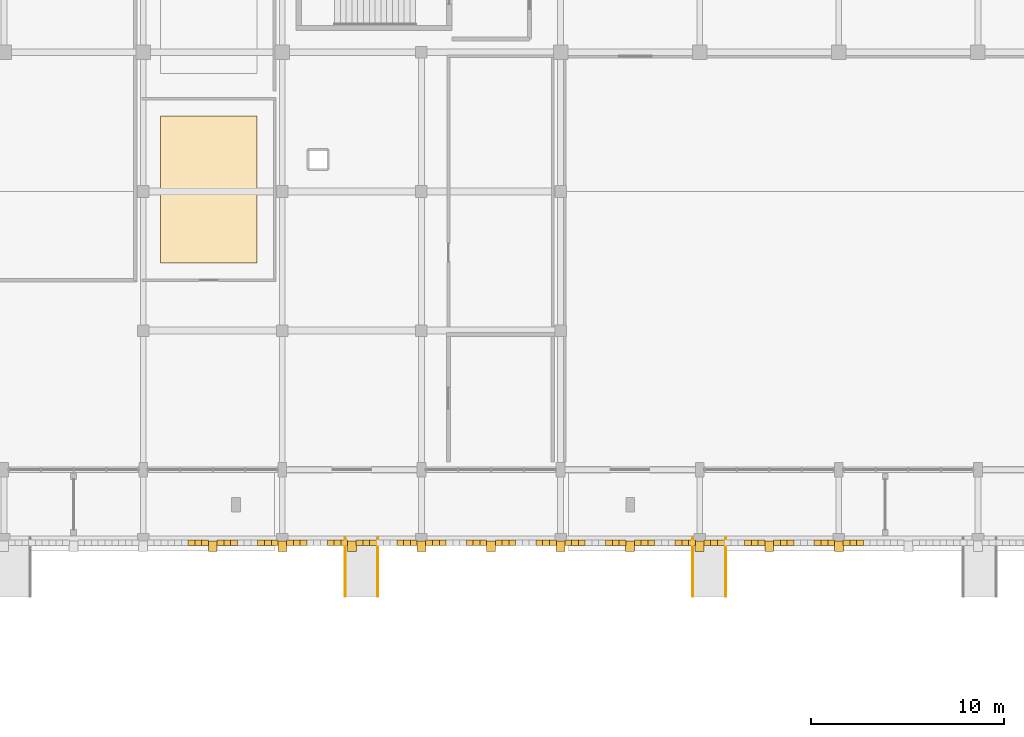
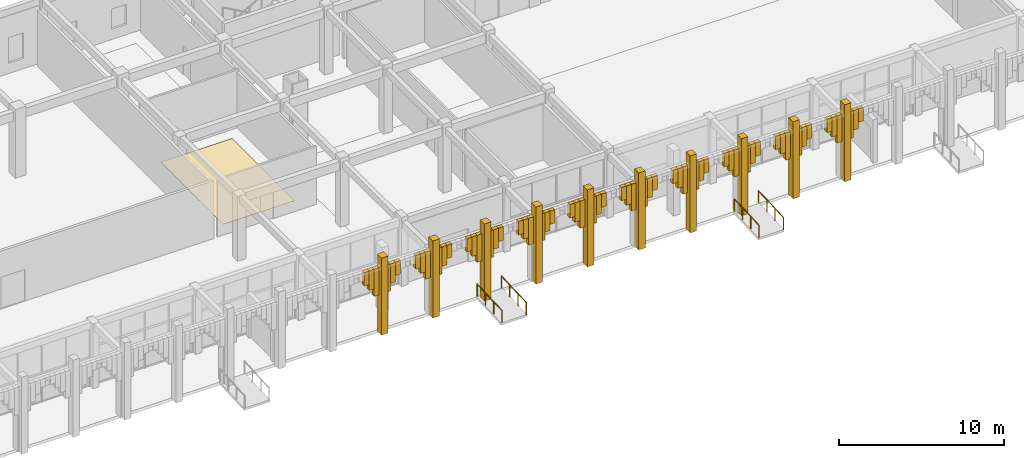
# One storey, part 54 of 72: 71 coverings, 4 railings.
"""IFC4 building model written with IfcOpenShell, lengths in metres."""

from ifc_helpers import new_model, si_unit, direction, frame, origin, origin_2d, place, context, subcontext, project, spatial, polyline, rectangle, circle, outline, extrude, material, layer, layer_set, type_object, element, save


model = new_model("IFC4")

# Units and contexts
model_context = context("Model", 3, precision=1e-05, world=origin(), true_north=direction((0.0, 1.0)))
body_context = subcontext(model_context, "Body", "Model", "MODEL_VIEW")
ifc_project = project(units=[si_unit("LENGTHUNIT", "METRE"), si_unit("AREAUNIT", "SQUARE_METRE"), si_unit("VOLUMEUNIT", "CUBIC_METRE"), si_unit("PLANEANGLEUNIT", "RADIAN"), si_unit("MASSUNIT", "GRAM", prefix="KILO")], contexts=[model_context])

# Site, building, storey
site_placement = place(None, origin())
site = spatial("IfcSite", under=ifc_project, at=site_placement, CompositionType="ELEMENT")
building_placement = place(site_placement, origin())
building = spatial("IfcBuilding", under=site, at=building_placement, Name="Nzembalo Square Collegiate School", CompositionType="ELEMENT")
storey_placement = place(building_placement, origin())
storey = spatial("IfcBuildingStorey", under=building, at=storey_placement, Name="L00", CompositionType="ELEMENT", Elevation=0.0)

# Coverings
ifc_material_1 = material(Name="Precast concrete C40/50 arch voussoir", Category="concrete")
ifc_layer_1 = layer(ifc_material_1, 0.1201171875, Name="Precast concrete C40/50 arch voussoir")
ifc_layer_set_1 = layer_set([ifc_layer_1], Name="Precast concrete C40/50 arch voussoir")
covering_type_1 = type_object("IfcCoveringType", Name="AR01", PredefinedType="CLADDING", material=ifc_layer_set_1)
covering_1_placement = place(storey_placement, frame((72.10205078125, 79.02001953125, 3.810546875), z_axis=(0.0, 0.0, 1.0), x_axis=(1.0, 0.0, 0.0)))
element("IfcCovering", 1, at=covering_1_placement, inside=storey, type_object=covering_type_1, Name="Gothic pointed arch voussoir AR01-050-6", PredefinedType="CLADDING", context=body_context, shape_type="SweptSolid", body=[
    extrude(rectangle(XDim=0.35107421875, YDim=0.280029296875, at=origin_2d()), origin(), (0.0, 0.0, 1.0), 0.989501953125),
])
covering_2_placement = place(storey_placement, frame((72.453125, 79.02001953125, 3.361328125), z_axis=(0.0, 0.0, 1.0), x_axis=(1.0, 0.0, 0.0)))
element("IfcCovering", 2, at=covering_2_placement, inside=storey, type_object=covering_type_1, Name="Gothic pointed arch voussoir AR01-050-7", PredefinedType="CLADDING", context=body_context, shape_type="SweptSolid", body=[
    extrude(rectangle(XDim=0.35107421875, YDim=0.280029296875, at=origin_2d()), origin(), (0.0, 0.0, 1.0), 1.438720703125),
])
covering_3_placement = place(storey_placement, frame((72.80419921875, 79.02001953125, 2.80859375), z_axis=(0.0, 0.0, 1.0), x_axis=(1.0, 0.0, 0.0)))
element("IfcCovering", 3, at=covering_3_placement, inside=storey, type_object=covering_type_1, Name="Gothic pointed arch voussoir AR01-050-8", PredefinedType="CLADDING", context=body_context, shape_type="SweptSolid", body=[
    extrude(rectangle(XDim=0.35107421875, YDim=0.280029296875, at=origin_2d()), origin(), (0.0, 0.0, 1.0), 1.991455078125),
])
covering_4_placement = place(storey_placement, frame((73.595458984375, 79.02001953125, 2.808349609375), z_axis=(0.0, 0.0, 1.0), x_axis=(1.0, 0.0, 0.0)))
element("IfcCovering", 4, at=covering_4_placement, inside=storey, type_object=covering_type_1, Name="Gothic pointed arch voussoir AR01-051-0", PredefinedType="CLADDING", context=body_context, shape_type="SweptSolid", body=[
    extrude(rectangle(XDim=0.35107421875, YDim=0.280029296875, at=origin_2d()), origin(), (0.0, 0.0, 1.0), 1.99169921875),
])
covering_5_placement = place(storey_placement, frame((73.946533203125, 79.02001953125, 3.361083984375), z_axis=(0.0, 0.0, 1.0), x_axis=(1.0, 0.0, 0.0)))
element("IfcCovering", 5, at=covering_5_placement, inside=storey, type_object=covering_type_1, Name="Gothic pointed arch voussoir AR01-051-1", PredefinedType="CLADDING", context=body_context, shape_type="SweptSolid", body=[
    extrude(rectangle(XDim=0.35107421875, YDim=0.280029296875, at=origin_2d()), origin(), (0.0, 0.0, 1.0), 1.43896484375),
])
for number, where, z_axis, x_axis, name in (
    (6, (74.297607421875, 79.02001953125, 3.810546875), (0.0, 0.0, 1.0), (1.0, 0.0, 0.0), "Gothic pointed arch voussoir AR01-051-2"),
    (7, (75.7021484375, 79.02001953125, 3.810546875), (0.0, 0.0, 1.0), (1.0, 0.0, 0.0), "Gothic pointed arch voussoir AR01-051-6"),
):
    element("IfcCovering", number, at=place(storey_placement, frame(where, z_axis=z_axis, x_axis=x_axis)), inside=storey, type_object=covering_type_1, Name=name, PredefinedType="CLADDING", context=body_context, shape_type="SweptSolid", body=[
        extrude(rectangle(XDim=0.35107421875, YDim=0.280029296875, at=origin_2d()), origin(), (0.0, 0.0, 1.0), 0.989501953125),
    ])
covering_6_placement = place(storey_placement, frame((76.05322265625, 79.02001953125, 3.361328125), z_axis=(0.0, 0.0, 1.0), x_axis=(1.0, 0.0, 0.0)))
element("IfcCovering", 8, at=covering_6_placement, inside=storey, type_object=covering_type_1, Name="Gothic pointed arch voussoir AR01-051-7", PredefinedType="CLADDING", context=body_context, shape_type="SweptSolid", body=[
    extrude(rectangle(XDim=0.35107421875, YDim=0.280029296875, at=origin_2d()), origin(), (0.0, 0.0, 1.0), 1.438720703125),
])
covering_7_placement = place(storey_placement, frame((76.404296875, 79.02001953125, 2.80859375), z_axis=(0.0, 0.0, 1.0), x_axis=(1.0, 0.0, 0.0)))
element("IfcCovering", 9, at=covering_7_placement, inside=storey, type_object=covering_type_1, Name="Gothic pointed arch voussoir AR01-051-8", PredefinedType="CLADDING", context=body_context, shape_type="SweptSolid", body=[
    extrude(rectangle(XDim=0.35107421875, YDim=0.280029296875, at=origin_2d()), origin(), (0.0, 0.0, 1.0), 1.991455078125),
])
covering_8_placement = place(storey_placement, frame((73.199951171875, 78.840087890625, 0.0), z_axis=(0.0, 0.0, 1.0), x_axis=(1.0, 0.0, 0.0)))
element("IfcCovering", 10, at=covering_8_placement, inside=storey, type_object=covering_type_1, Name="Gothic arcade buttress pinnacle AR01-B051", PredefinedType="CLADDING", context=body_context, shape_type="SweptSolid", body=[
    extrude(rectangle(XDim=0.4599609375, YDim=0.52001953125, at=origin_2d()), origin(), (0.0, 0.0, 1.0), 5.699951171875),
])
covering_9_placement = place(storey_placement, frame((77.195556640625, 79.02001953125, 2.808349609375), z_axis=(0.0, 0.0, 1.0), x_axis=(1.0, 0.0, 0.0)))
element("IfcCovering", 11, at=covering_9_placement, inside=storey, type_object=covering_type_1, Name="Gothic pointed arch voussoir AR01-052-0", PredefinedType="CLADDING", context=body_context, shape_type="SweptSolid", body=[
    extrude(rectangle(XDim=0.35107421875, YDim=0.280029296875, at=origin_2d()), origin(), (0.0, 0.0, 1.0), 1.99169921875),
])
covering_10_placement = place(storey_placement, frame((77.546630859375, 79.02001953125, 3.361083984375), z_axis=(0.0, 0.0, 1.0), x_axis=(1.0, 0.0, 0.0)))
element("IfcCovering", 12, at=covering_10_placement, inside=storey, type_object=covering_type_1, Name="Gothic pointed arch voussoir AR01-052-1", PredefinedType="CLADDING", context=body_context, shape_type="SweptSolid", body=[
    extrude(rectangle(XDim=0.35107421875, YDim=0.280029296875, at=origin_2d()), origin(), (0.0, 0.0, 1.0), 1.43896484375),
])
for number, where, z_axis, x_axis, name in (
    (13, (77.897705078125, 79.02001953125, 3.810546875), (0.0, 0.0, 1.0), (1.0, 0.0, 0.0), "Gothic pointed arch voussoir AR01-052-2"),
    (14, (79.302001953125, 79.02001953125, 3.810546875), (0.0, 0.0, 1.0), (1.0, 0.0, 0.0), "Gothic pointed arch voussoir AR01-052-6"),
):
    element("IfcCovering", number, at=place(storey_placement, frame(where, z_axis=z_axis, x_axis=x_axis)), inside=storey, type_object=covering_type_1, Name=name, PredefinedType="CLADDING", context=body_context, shape_type="SweptSolid", body=[
        extrude(rectangle(XDim=0.35107421875, YDim=0.280029296875, at=origin_2d()), origin(), (0.0, 0.0, 1.0), 0.989501953125),
    ])
covering_11_placement = place(storey_placement, frame((79.6533203125, 79.02001953125, 3.361328125), z_axis=(0.0, 0.0, 1.0), x_axis=(1.0, 0.0, 0.0)))
element("IfcCovering", 15, at=covering_11_placement, inside=storey, type_object=covering_type_1, Name="Gothic pointed arch voussoir AR01-052-7", PredefinedType="CLADDING", context=body_context, shape_type="SweptSolid", body=[
    extrude(rectangle(XDim=0.35107421875, YDim=0.280029296875, at=origin_2d()), origin(), (0.0, 0.0, 1.0), 1.438720703125),
])
covering_12_placement = place(storey_placement, frame((80.00439453125, 79.02001953125, 2.80859375), z_axis=(0.0, 0.0, 1.0), x_axis=(1.0, 0.0, 0.0)))
element("IfcCovering", 16, at=covering_12_placement, inside=storey, type_object=covering_type_1, Name="Gothic pointed arch voussoir AR01-052-8", PredefinedType="CLADDING", context=body_context, shape_type="SweptSolid", body=[
    extrude(rectangle(XDim=0.35107421875, YDim=0.280029296875, at=origin_2d()), origin(), (0.0, 0.0, 1.0), 1.991455078125),
])
covering_13_placement = place(storey_placement, frame((76.800048828125, 78.840087890625, 0.0), z_axis=(0.0, 0.0, 1.0), x_axis=(1.0, 0.0, 0.0)))
element("IfcCovering", 17, at=covering_13_placement, inside=storey, type_object=covering_type_1, Name="Gothic arcade buttress pinnacle AR01-B052", PredefinedType="CLADDING", context=body_context, shape_type="SweptSolid", body=[
    extrude(rectangle(XDim=0.4599609375, YDim=0.52001953125, at=origin_2d()), origin(), (0.0, 0.0, 1.0), 5.699951171875),
])
covering_14_placement = place(storey_placement, frame((80.79541015625, 79.02001953125, 2.808349609375), z_axis=(0.0, 0.0, 1.0), x_axis=(1.0, 0.0, 0.0)))
element("IfcCovering", 18, at=covering_14_placement, inside=storey, type_object=covering_type_1, Name="Gothic pointed arch voussoir AR01-053-0", PredefinedType="CLADDING", context=body_context, shape_type="SweptSolid", body=[
    extrude(rectangle(XDim=0.35107421875, YDim=0.280029296875, at=origin_2d()), origin(), (0.0, 0.0, 1.0), 1.99169921875),
])
covering_15_placement = place(storey_placement, frame((81.146484375, 79.02001953125, 3.361083984375), z_axis=(0.0, 0.0, 1.0), x_axis=(1.0, 0.0, 0.0)))
element("IfcCovering", 19, at=covering_15_placement, inside=storey, type_object=covering_type_1, Name="Gothic pointed arch voussoir AR01-053-1", PredefinedType="CLADDING", context=body_context, shape_type="SweptSolid", body=[
    extrude(rectangle(XDim=0.35107421875, YDim=0.280029296875, at=origin_2d()), origin(), (0.0, 0.0, 1.0), 1.43896484375),
])
for number, where, z_axis, x_axis, name in (
    (20, (81.497802734375, 79.02001953125, 3.810546875), (0.0, 0.0, 1.0), (1.0, 0.0, 0.0), "Gothic pointed arch voussoir AR01-053-2"),
    (21, (82.902099609375, 79.02001953125, 3.810546875), (0.0, 0.0, 1.0), (1.0, 0.0, 0.0), "Gothic pointed arch voussoir AR01-053-6"),
):
    element("IfcCovering", number, at=place(storey_placement, frame(where, z_axis=z_axis, x_axis=x_axis)), inside=storey, type_object=covering_type_1, Name=name, PredefinedType="CLADDING", context=body_context, shape_type="SweptSolid", body=[
        extrude(rectangle(XDim=0.35107421875, YDim=0.280029296875, at=origin_2d()), origin(), (0.0, 0.0, 1.0), 0.989501953125),
    ])
covering_16_placement = place(storey_placement, frame((83.253173828125, 79.02001953125, 3.361328125), z_axis=(0.0, 0.0, 1.0), x_axis=(1.0, 0.0, 0.0)))
element("IfcCovering", 22, at=covering_16_placement, inside=storey, type_object=covering_type_1, Name="Gothic pointed arch voussoir AR01-053-7", PredefinedType="CLADDING", context=body_context, shape_type="SweptSolid", body=[
    extrude(rectangle(XDim=0.35107421875, YDim=0.280029296875, at=origin_2d()), origin(), (0.0, 0.0, 1.0), 1.438720703125),
])
covering_17_placement = place(storey_placement, frame((83.604248046875, 79.02001953125, 2.80859375), z_axis=(0.0, 0.0, 1.0), x_axis=(1.0, 0.0, 0.0)))
element("IfcCovering", 23, at=covering_17_placement, inside=storey, type_object=covering_type_1, Name="Gothic pointed arch voussoir AR01-053-8", PredefinedType="CLADDING", context=body_context, shape_type="SweptSolid", body=[
    extrude(rectangle(XDim=0.35107421875, YDim=0.280029296875, at=origin_2d()), origin(), (0.0, 0.0, 1.0), 1.991455078125),
])
covering_18_placement = place(storey_placement, frame((80.39990234375, 78.840087890625, 0.0), z_axis=(0.0, 0.0, 1.0), x_axis=(1.0, 0.0, 0.0)))
element("IfcCovering", 24, at=covering_18_placement, inside=storey, type_object=covering_type_1, Name="Gothic arcade buttress pinnacle AR01-B053", PredefinedType="CLADDING", context=body_context, shape_type="SweptSolid", body=[
    extrude(rectangle(XDim=0.4599609375, YDim=0.52001953125, at=origin_2d()), origin(), (0.0, 0.0, 1.0), 5.699951171875),
])
covering_19_placement = place(storey_placement, frame((84.3955078125, 79.02001953125, 2.808349609375), z_axis=(0.0, 0.0, 1.0), x_axis=(1.0, 0.0, 0.0)))
element("IfcCovering", 25, at=covering_19_placement, inside=storey, type_object=covering_type_1, Name="Gothic pointed arch voussoir AR01-054-0", PredefinedType="CLADDING", context=body_context, shape_type="SweptSolid", body=[
    extrude(rectangle(XDim=0.35107421875, YDim=0.280029296875, at=origin_2d()), origin(), (0.0, 0.0, 1.0), 1.99169921875),
])
covering_20_placement = place(storey_placement, frame((84.74658203125, 79.02001953125, 3.361083984375), z_axis=(0.0, 0.0, 1.0), x_axis=(1.0, 0.0, 0.0)))
element("IfcCovering", 26, at=covering_20_placement, inside=storey, type_object=covering_type_1, Name="Gothic pointed arch voussoir AR01-054-1", PredefinedType="CLADDING", context=body_context, shape_type="SweptSolid", body=[
    extrude(rectangle(XDim=0.35107421875, YDim=0.280029296875, at=origin_2d()), origin(), (0.0, 0.0, 1.0), 1.43896484375),
])
for number, where, z_axis, x_axis, name in (
    (27, (85.09765625, 79.02001953125, 3.810546875), (0.0, 0.0, 1.0), (1.0, 0.0, 0.0), "Gothic pointed arch voussoir AR01-054-2"),
    (28, (86.502197265625, 79.02001953125, 3.810546875), (0.0, 0.0, 1.0), (1.0, 0.0, 0.0), "Gothic pointed arch voussoir AR01-054-6"),
):
    element("IfcCovering", number, at=place(storey_placement, frame(where, z_axis=z_axis, x_axis=x_axis)), inside=storey, type_object=covering_type_1, Name=name, PredefinedType="CLADDING", context=body_context, shape_type="SweptSolid", body=[
        extrude(rectangle(XDim=0.35107421875, YDim=0.280029296875, at=origin_2d()), origin(), (0.0, 0.0, 1.0), 0.989501953125),
    ])
covering_21_placement = place(storey_placement, frame((86.853271484375, 79.02001953125, 3.361328125), z_axis=(0.0, 0.0, 1.0), x_axis=(1.0, 0.0, 0.0)))
element("IfcCovering", 29, at=covering_21_placement, inside=storey, type_object=covering_type_1, Name="Gothic pointed arch voussoir AR01-054-7", PredefinedType="CLADDING", context=body_context, shape_type="SweptSolid", body=[
    extrude(rectangle(XDim=0.35107421875, YDim=0.280029296875, at=origin_2d()), origin(), (0.0, 0.0, 1.0), 1.438720703125),
])
covering_22_placement = place(storey_placement, frame((87.204345703125, 79.02001953125, 2.80859375), z_axis=(0.0, 0.0, 1.0), x_axis=(1.0, 0.0, 0.0)))
element("IfcCovering", 30, at=covering_22_placement, inside=storey, type_object=covering_type_1, Name="Gothic pointed arch voussoir AR01-054-8", PredefinedType="CLADDING", context=body_context, shape_type="SweptSolid", body=[
    extrude(rectangle(XDim=0.35107421875, YDim=0.280029296875, at=origin_2d()), origin(), (0.0, 0.0, 1.0), 1.991455078125),
])
covering_23_placement = place(storey_placement, frame((84.0, 78.840087890625, 0.0), z_axis=(0.0, 0.0, 1.0), x_axis=(1.0, 0.0, 0.0)))
element("IfcCovering", 31, at=covering_23_placement, inside=storey, type_object=covering_type_1, Name="Gothic arcade buttress pinnacle AR01-B054", PredefinedType="CLADDING", context=body_context, shape_type="SweptSolid", body=[
    extrude(rectangle(XDim=0.4599609375, YDim=0.52001953125, at=origin_2d()), origin(), (0.0, 0.0, 1.0), 5.699951171875),
])
covering_24_placement = place(storey_placement, frame((87.99560546875, 79.02001953125, 2.808349609375), z_axis=(0.0, 0.0, 1.0), x_axis=(1.0, 0.0, 0.0)))
element("IfcCovering", 32, at=covering_24_placement, inside=storey, type_object=covering_type_1, Name="Gothic pointed arch voussoir AR01-055-0", PredefinedType="CLADDING", context=body_context, shape_type="SweptSolid", body=[
    extrude(rectangle(XDim=0.35107421875, YDim=0.280029296875, at=origin_2d()), origin(), (0.0, 0.0, 1.0), 1.99169921875),
])
covering_25_placement = place(storey_placement, frame((88.3466796875, 79.02001953125, 3.361083984375), z_axis=(0.0, 0.0, 1.0), x_axis=(1.0, 0.0, 0.0)))
element("IfcCovering", 33, at=covering_25_placement, inside=storey, type_object=covering_type_1, Name="Gothic pointed arch voussoir AR01-055-1", PredefinedType="CLADDING", context=body_context, shape_type="SweptSolid", body=[
    extrude(rectangle(XDim=0.35107421875, YDim=0.280029296875, at=origin_2d()), origin(), (0.0, 0.0, 1.0), 1.43896484375),
])
for number, where, z_axis, x_axis, name in (
    (34, (88.69775390625, 79.02001953125, 3.810546875), (0.0, 0.0, 1.0), (1.0, 0.0, 0.0), "Gothic pointed arch voussoir AR01-055-2"),
    (35, (90.10205078125, 79.02001953125, 3.810546875), (0.0, 0.0, 1.0), (1.0, 0.0, 0.0), "Gothic pointed arch voussoir AR01-055-6"),
):
    element("IfcCovering", number, at=place(storey_placement, frame(where, z_axis=z_axis, x_axis=x_axis)), inside=storey, type_object=covering_type_1, Name=name, PredefinedType="CLADDING", context=body_context, shape_type="SweptSolid", body=[
        extrude(rectangle(XDim=0.35107421875, YDim=0.280029296875, at=origin_2d()), origin(), (0.0, 0.0, 1.0), 0.989501953125),
    ])
covering_26_placement = place(storey_placement, frame((90.453125, 79.02001953125, 3.361328125), z_axis=(0.0, 0.0, 1.0), x_axis=(1.0, 0.0, 0.0)))
element("IfcCovering", 36, at=covering_26_placement, inside=storey, type_object=covering_type_1, Name="Gothic pointed arch voussoir AR01-055-7", PredefinedType="CLADDING", context=body_context, shape_type="SweptSolid", body=[
    extrude(rectangle(XDim=0.35107421875, YDim=0.280029296875, at=origin_2d()), origin(), (0.0, 0.0, 1.0), 1.438720703125),
])
covering_27_placement = place(storey_placement, frame((90.80419921875, 79.02001953125, 2.80859375), z_axis=(0.0, 0.0, 1.0), x_axis=(1.0, 0.0, 0.0)))
element("IfcCovering", 37, at=covering_27_placement, inside=storey, type_object=covering_type_1, Name="Gothic pointed arch voussoir AR01-055-8", PredefinedType="CLADDING", context=body_context, shape_type="SweptSolid", body=[
    extrude(rectangle(XDim=0.35107421875, YDim=0.280029296875, at=origin_2d()), origin(), (0.0, 0.0, 1.0), 1.991455078125),
])
covering_28_placement = place(storey_placement, frame((87.60009765625, 78.840087890625, 0.0), z_axis=(0.0, 0.0, 1.0), x_axis=(1.0, 0.0, 0.0)))
element("IfcCovering", 38, at=covering_28_placement, inside=storey, type_object=covering_type_1, Name="Gothic arcade buttress pinnacle AR01-B055", PredefinedType="CLADDING", context=body_context, shape_type="SweptSolid", body=[
    extrude(rectangle(XDim=0.4599609375, YDim=0.52001953125, at=origin_2d()), origin(), (0.0, 0.0, 1.0), 5.699951171875),
])
covering_29_placement = place(storey_placement, frame((91.595458984375, 79.02001953125, 2.808349609375), z_axis=(0.0, 0.0, 1.0), x_axis=(1.0, 0.0, 0.0)))
element("IfcCovering", 39, at=covering_29_placement, inside=storey, type_object=covering_type_1, Name="Gothic pointed arch voussoir AR01-056-0", PredefinedType="CLADDING", context=body_context, shape_type="SweptSolid", body=[
    extrude(rectangle(XDim=0.35107421875, YDim=0.280029296875, at=origin_2d()), origin(), (0.0, 0.0, 1.0), 1.99169921875),
])
covering_30_placement = place(storey_placement, frame((91.946533203125, 79.02001953125, 3.361083984375), z_axis=(0.0, 0.0, 1.0), x_axis=(1.0, 0.0, 0.0)))
element("IfcCovering", 40, at=covering_30_placement, inside=storey, type_object=covering_type_1, Name="Gothic pointed arch voussoir AR01-056-1", PredefinedType="CLADDING", context=body_context, shape_type="SweptSolid", body=[
    extrude(rectangle(XDim=0.35107421875, YDim=0.280029296875, at=origin_2d()), origin(), (0.0, 0.0, 1.0), 1.43896484375),
])
for number, where, z_axis, x_axis, name in (
    (41, (92.297607421875, 79.02001953125, 3.810546875), (0.0, 0.0, 1.0), (1.0, 0.0, 0.0), "Gothic pointed arch voussoir AR01-056-2"),
    (42, (93.7021484375, 79.02001953125, 3.810546875), (0.0, 0.0, 1.0), (1.0, 0.0, 0.0), "Gothic pointed arch voussoir AR01-056-6"),
):
    element("IfcCovering", number, at=place(storey_placement, frame(where, z_axis=z_axis, x_axis=x_axis)), inside=storey, type_object=covering_type_1, Name=name, PredefinedType="CLADDING", context=body_context, shape_type="SweptSolid", body=[
        extrude(rectangle(XDim=0.35107421875, YDim=0.280029296875, at=origin_2d()), origin(), (0.0, 0.0, 1.0), 0.989501953125),
    ])
covering_31_placement = place(storey_placement, frame((94.05322265625, 79.02001953125, 3.361328125), z_axis=(0.0, 0.0, 1.0), x_axis=(1.0, 0.0, 0.0)))
element("IfcCovering", 43, at=covering_31_placement, inside=storey, type_object=covering_type_1, Name="Gothic pointed arch voussoir AR01-056-7", PredefinedType="CLADDING", context=body_context, shape_type="SweptSolid", body=[
    extrude(rectangle(XDim=0.35107421875, YDim=0.280029296875, at=origin_2d()), origin(), (0.0, 0.0, 1.0), 1.438720703125),
])
covering_32_placement = place(storey_placement, frame((94.404296875, 79.02001953125, 2.80859375), z_axis=(0.0, 0.0, 1.0), x_axis=(1.0, 0.0, 0.0)))
element("IfcCovering", 44, at=covering_32_placement, inside=storey, type_object=covering_type_1, Name="Gothic pointed arch voussoir AR01-056-8", PredefinedType="CLADDING", context=body_context, shape_type="SweptSolid", body=[
    extrude(rectangle(XDim=0.35107421875, YDim=0.280029296875, at=origin_2d()), origin(), (0.0, 0.0, 1.0), 1.991455078125),
])
covering_33_placement = place(storey_placement, frame((91.199951171875, 78.840087890625, 0.0), z_axis=(0.0, 0.0, 1.0), x_axis=(1.0, 0.0, 0.0)))
element("IfcCovering", 45, at=covering_33_placement, inside=storey, type_object=covering_type_1, Name="Gothic arcade buttress pinnacle AR01-B056", PredefinedType="CLADDING", context=body_context, shape_type="SweptSolid", body=[
    extrude(rectangle(XDim=0.4599609375, YDim=0.52001953125, at=origin_2d()), origin(), (0.0, 0.0, 1.0), 5.699951171875),
])
covering_34_placement = place(storey_placement, frame((95.195556640625, 79.02001953125, 2.808349609375), z_axis=(0.0, 0.0, 1.0), x_axis=(1.0, 0.0, 0.0)))
element("IfcCovering", 46, at=covering_34_placement, inside=storey, type_object=covering_type_1, Name="Gothic pointed arch voussoir AR01-057-0", PredefinedType="CLADDING", context=body_context, shape_type="SweptSolid", body=[
    extrude(rectangle(XDim=0.35107421875, YDim=0.280029296875, at=origin_2d()), origin(), (0.0, 0.0, 1.0), 1.99169921875),
])
covering_35_placement = place(storey_placement, frame((95.546630859375, 79.02001953125, 3.361083984375), z_axis=(0.0, 0.0, 1.0), x_axis=(1.0, 0.0, 0.0)))
element("IfcCovering", 47, at=covering_35_placement, inside=storey, type_object=covering_type_1, Name="Gothic pointed arch voussoir AR01-057-1", PredefinedType="CLADDING", context=body_context, shape_type="SweptSolid", body=[
    extrude(rectangle(XDim=0.35107421875, YDim=0.280029296875, at=origin_2d()), origin(), (0.0, 0.0, 1.0), 1.43896484375),
])
for number, where, z_axis, x_axis, name in (
    (48, (95.897705078125, 79.02001953125, 3.810546875), (0.0, 0.0, 1.0), (1.0, 0.0, 0.0), "Gothic pointed arch voussoir AR01-057-2"),
    (49, (97.302001953125, 79.02001953125, 3.810546875), (0.0, 0.0, 1.0), (1.0, 0.0, 0.0), "Gothic pointed arch voussoir AR01-057-6"),
):
    element("IfcCovering", number, at=place(storey_placement, frame(where, z_axis=z_axis, x_axis=x_axis)), inside=storey, type_object=covering_type_1, Name=name, PredefinedType="CLADDING", context=body_context, shape_type="SweptSolid", body=[
        extrude(rectangle(XDim=0.35107421875, YDim=0.280029296875, at=origin_2d()), origin(), (0.0, 0.0, 1.0), 0.989501953125),
    ])
covering_36_placement = place(storey_placement, frame((97.6533203125, 79.02001953125, 3.361328125), z_axis=(0.0, 0.0, 1.0), x_axis=(1.0, 0.0, 0.0)))
element("IfcCovering", 50, at=covering_36_placement, inside=storey, type_object=covering_type_1, Name="Gothic pointed arch voussoir AR01-057-7", PredefinedType="CLADDING", context=body_context, shape_type="SweptSolid", body=[
    extrude(rectangle(XDim=0.35107421875, YDim=0.280029296875, at=origin_2d()), origin(), (0.0, 0.0, 1.0), 1.438720703125),
])
covering_37_placement = place(storey_placement, frame((98.00439453125, 79.02001953125, 2.80859375), z_axis=(0.0, 0.0, 1.0), x_axis=(1.0, 0.0, 0.0)))
element("IfcCovering", 51, at=covering_37_placement, inside=storey, type_object=covering_type_1, Name="Gothic pointed arch voussoir AR01-057-8", PredefinedType="CLADDING", context=body_context, shape_type="SweptSolid", body=[
    extrude(rectangle(XDim=0.35107421875, YDim=0.280029296875, at=origin_2d()), origin(), (0.0, 0.0, 1.0), 1.991455078125),
])
covering_38_placement = place(storey_placement, frame((94.800048828125, 78.840087890625, 0.0), z_axis=(0.0, 0.0, 1.0), x_axis=(1.0, 0.0, 0.0)))
element("IfcCovering", 52, at=covering_38_placement, inside=storey, type_object=covering_type_1, Name="Gothic arcade buttress pinnacle AR01-B057", PredefinedType="CLADDING", context=body_context, shape_type="SweptSolid", body=[
    extrude(rectangle(XDim=0.4599609375, YDim=0.52001953125, at=origin_2d()), origin(), (0.0, 0.0, 1.0), 5.699951171875),
])
covering_39_placement = place(storey_placement, frame((98.79541015625, 79.02001953125, 2.808349609375), z_axis=(0.0, 0.0, 1.0), x_axis=(1.0, 0.0, 0.0)))
element("IfcCovering", 53, at=covering_39_placement, inside=storey, type_object=covering_type_1, Name="Gothic pointed arch voussoir AR01-058-0", PredefinedType="CLADDING", context=body_context, shape_type="SweptSolid", body=[
    extrude(rectangle(XDim=0.35107421875, YDim=0.280029296875, at=origin_2d()), origin(), (0.0, 0.0, 1.0), 1.99169921875),
])
covering_40_placement = place(storey_placement, frame((99.146484375, 79.02001953125, 3.361083984375), z_axis=(0.0, 0.0, 1.0), x_axis=(1.0, 0.0, 0.0)))
element("IfcCovering", 54, at=covering_40_placement, inside=storey, type_object=covering_type_1, Name="Gothic pointed arch voussoir AR01-058-1", PredefinedType="CLADDING", context=body_context, shape_type="SweptSolid", body=[
    extrude(rectangle(XDim=0.35107421875, YDim=0.280029296875, at=origin_2d()), origin(), (0.0, 0.0, 1.0), 1.43896484375),
])
for number, where, z_axis, x_axis, name in (
    (55, (99.497802734375, 79.02001953125, 3.810546875), (0.0, 0.0, 1.0), (1.0, 0.0, 0.0), "Gothic pointed arch voussoir AR01-058-2"),
    (56, (100.902099609375, 79.02001953125, 3.810546875), (0.0, 0.0, 1.0), (1.0, 0.0, 0.0), "Gothic pointed arch voussoir AR01-058-6"),
):
    element("IfcCovering", number, at=place(storey_placement, frame(where, z_axis=z_axis, x_axis=x_axis)), inside=storey, type_object=covering_type_1, Name=name, PredefinedType="CLADDING", context=body_context, shape_type="SweptSolid", body=[
        extrude(rectangle(XDim=0.35107421875, YDim=0.280029296875, at=origin_2d()), origin(), (0.0, 0.0, 1.0), 0.989501953125),
    ])
covering_41_placement = place(storey_placement, frame((101.253173828125, 79.02001953125, 3.361328125), z_axis=(0.0, 0.0, 1.0), x_axis=(1.0, 0.0, 0.0)))
element("IfcCovering", 57, at=covering_41_placement, inside=storey, type_object=covering_type_1, Name="Gothic pointed arch voussoir AR01-058-7", PredefinedType="CLADDING", context=body_context, shape_type="SweptSolid", body=[
    extrude(rectangle(XDim=0.35107421875, YDim=0.280029296875, at=origin_2d()), origin(), (0.0, 0.0, 1.0), 1.438720703125),
])
covering_42_placement = place(storey_placement, frame((101.604248046875, 79.02001953125, 2.80859375), z_axis=(0.0, 0.0, 1.0), x_axis=(1.0, 0.0, 0.0)))
element("IfcCovering", 58, at=covering_42_placement, inside=storey, type_object=covering_type_1, Name="Gothic pointed arch voussoir AR01-058-8", PredefinedType="CLADDING", context=body_context, shape_type="SweptSolid", body=[
    extrude(rectangle(XDim=0.35107421875, YDim=0.280029296875, at=origin_2d()), origin(), (0.0, 0.0, 1.0), 1.991455078125),
])
covering_43_placement = place(storey_placement, frame((98.39990234375, 78.840087890625, 0.0), z_axis=(0.0, 0.0, 1.0), x_axis=(1.0, 0.0, 0.0)))
element("IfcCovering", 59, at=covering_43_placement, inside=storey, type_object=covering_type_1, Name="Gothic arcade buttress pinnacle AR01-B058", PredefinedType="CLADDING", context=body_context, shape_type="SweptSolid", body=[
    extrude(rectangle(XDim=0.4599609375, YDim=0.52001953125, at=origin_2d()), origin(), (0.0, 0.0, 1.0), 5.699951171875),
])
covering_44_placement = place(storey_placement, frame((102.3955078125, 79.02001953125, 2.808349609375), z_axis=(0.0, 0.0, 1.0), x_axis=(1.0, 0.0, 0.0)))
element("IfcCovering", 60, at=covering_44_placement, inside=storey, type_object=covering_type_1, Name="Gothic pointed arch voussoir AR01-059-0", PredefinedType="CLADDING", context=body_context, shape_type="SweptSolid", body=[
    extrude(rectangle(XDim=0.35107421875, YDim=0.280029296875, at=origin_2d()), origin(), (0.0, 0.0, 1.0), 1.99169921875),
])
covering_45_placement = place(storey_placement, frame((102.74658203125, 79.02001953125, 3.361083984375), z_axis=(0.0, 0.0, 1.0), x_axis=(1.0, 0.0, 0.0)))
element("IfcCovering", 61, at=covering_45_placement, inside=storey, type_object=covering_type_1, Name="Gothic pointed arch voussoir AR01-059-1", PredefinedType="CLADDING", context=body_context, shape_type="SweptSolid", body=[
    extrude(rectangle(XDim=0.35107421875, YDim=0.280029296875, at=origin_2d()), origin(), (0.0, 0.0, 1.0), 1.43896484375),
])
for number, where, z_axis, x_axis, name in (
    (62, (103.09765625, 79.02001953125, 3.810546875), (0.0, 0.0, 1.0), (1.0, 0.0, 0.0), "Gothic pointed arch voussoir AR01-059-2"),
    (63, (104.502197265625, 79.02001953125, 3.810546875), (0.0, 0.0, 1.0), (1.0, 0.0, 0.0), "Gothic pointed arch voussoir AR01-059-6"),
):
    element("IfcCovering", number, at=place(storey_placement, frame(where, z_axis=z_axis, x_axis=x_axis)), inside=storey, type_object=covering_type_1, Name=name, PredefinedType="CLADDING", context=body_context, shape_type="SweptSolid", body=[
        extrude(rectangle(XDim=0.35107421875, YDim=0.280029296875, at=origin_2d()), origin(), (0.0, 0.0, 1.0), 0.989501953125),
    ])
covering_46_placement = place(storey_placement, frame((104.853271484375, 79.02001953125, 3.361328125), z_axis=(0.0, 0.0, 1.0), x_axis=(1.0, 0.0, 0.0)))
element("IfcCovering", 64, at=covering_46_placement, inside=storey, type_object=covering_type_1, Name="Gothic pointed arch voussoir AR01-059-7", PredefinedType="CLADDING", context=body_context, shape_type="SweptSolid", body=[
    extrude(rectangle(XDim=0.35107421875, YDim=0.280029296875, at=origin_2d()), origin(), (0.0, 0.0, 1.0), 1.438720703125),
])
covering_47_placement = place(storey_placement, frame((105.204345703125, 79.02001953125, 2.80859375), z_axis=(0.0, 0.0, 1.0), x_axis=(1.0, 0.0, 0.0)))
element("IfcCovering", 65, at=covering_47_placement, inside=storey, type_object=covering_type_1, Name="Gothic pointed arch voussoir AR01-059-8", PredefinedType="CLADDING", context=body_context, shape_type="SweptSolid", body=[
    extrude(rectangle(XDim=0.35107421875, YDim=0.280029296875, at=origin_2d()), origin(), (0.0, 0.0, 1.0), 1.991455078125),
])
covering_48_placement = place(storey_placement, frame((102.0, 78.840087890625, 0.0), z_axis=(0.0, 0.0, 1.0), x_axis=(1.0, 0.0, 0.0)))
element("IfcCovering", 66, at=covering_48_placement, inside=storey, type_object=covering_type_1, Name="Gothic arcade buttress pinnacle AR01-B059", PredefinedType="CLADDING", context=body_context, shape_type="SweptSolid", body=[
    extrude(rectangle(XDim=0.4599609375, YDim=0.52001953125, at=origin_2d()), origin(), (0.0, 0.0, 1.0), 5.699951171875),
])
covering_49_placement = place(storey_placement, frame((105.99560546875, 79.02001953125, 2.808349609375), z_axis=(0.0, 0.0, 1.0), x_axis=(1.0, 0.0, 0.0)))
element("IfcCovering", 67, at=covering_49_placement, inside=storey, type_object=covering_type_1, Name="Gothic pointed arch voussoir AR01-060-0", PredefinedType="CLADDING", context=body_context, shape_type="SweptSolid", body=[
    extrude(rectangle(XDim=0.35107421875, YDim=0.280029296875, at=origin_2d()), origin(), (0.0, 0.0, 1.0), 1.99169921875),
])
covering_50_placement = place(storey_placement, frame((106.3466796875, 79.02001953125, 3.361083984375), z_axis=(0.0, 0.0, 1.0), x_axis=(1.0, 0.0, 0.0)))
element("IfcCovering", 68, at=covering_50_placement, inside=storey, type_object=covering_type_1, Name="Gothic pointed arch voussoir AR01-060-1", PredefinedType="CLADDING", context=body_context, shape_type="SweptSolid", body=[
    extrude(rectangle(XDim=0.35107421875, YDim=0.280029296875, at=origin_2d()), origin(), (0.0, 0.0, 1.0), 1.43896484375),
])
covering_51_placement = place(storey_placement, frame((106.69775390625, 79.02001953125, 3.810546875), z_axis=(0.0, 0.0, 1.0), x_axis=(1.0, 0.0, 0.0)))
element("IfcCovering", 69, at=covering_51_placement, inside=storey, type_object=covering_type_1, Name="Gothic pointed arch voussoir AR01-060-2", PredefinedType="CLADDING", context=body_context, shape_type="SweptSolid", body=[
    extrude(rectangle(XDim=0.35107421875, YDim=0.280029296875, at=origin_2d()), origin(), (0.0, 0.0, 1.0), 0.989501953125),
])
covering_52_placement = place(storey_placement, frame((105.60009765625, 78.840087890625, 0.0), z_axis=(0.0, 0.0, 1.0), x_axis=(1.0, 0.0, 0.0)))
element("IfcCovering", 70, at=covering_52_placement, inside=storey, type_object=covering_type_1, Name="Gothic arcade buttress pinnacle AR01-B060", PredefinedType="CLADDING", context=body_context, shape_type="SweptSolid", body=[
    extrude(rectangle(XDim=0.4599609375, YDim=0.52001953125, at=origin_2d()), origin(), (0.0, 0.0, 1.0), 5.699951171875),
])
ifc_material_2 = material(Name="Polished stone terrazzo flooring", Category="masonry")
ifc_layer_2 = layer(ifc_material_2, 0.02001953125, Name="Polished stone terrazzo flooring")
ifc_layer_set_2 = layer_set([ifc_layer_2], Name="Polished stone terrazzo flooring")
covering_type_2 = type_object("IfcCoveringType", Name="FL01", PredefinedType="FLOORING", material=ifc_layer_set_2)
covering_53_placement = place(storey_placement, origin())
element("IfcCovering", 71, at=covering_53_placement, inside=storey, type_object=covering_type_2, Name="Terrazzo finish flooring FL01-06", PredefinedType="FLOORING", context=body_context, shape_type="SweptSolid", body=[
    extrude(outline(polyline([(70.5, 93.5), (75.5, 93.5), (75.5, 101.10009765625), (70.5, 101.10009765625), (70.5, 93.5)])), origin(), (0.0, 0.0, 1.0), 0.02001953125),
])

# Railings
ifc_material_3 = material(Name="Steel S355", Category="steel")
railing_type = type_object("IfcRailingType", Name="HR02", PredefinedType="HANDRAIL", material=ifc_material_3)
for number, where, name in (
    (72, (80.050048828125, 76.25, -0.14990234375), "Ramp handrail RP-03-H1"),
    (73, (81.75, 76.25, -0.14990234375), "Ramp handrail RP-03-H2"),
    (74, (98.050048828125, 76.25, -0.14990234375), "Ramp handrail RP-04-H1"),
    (75, (99.75, 76.25, -0.14990234375), "Ramp handrail RP-04-H2"),
):
    element("IfcRailing", number, at=place(storey_placement, frame(where)), inside=storey, type_object=railing_type, Name=name, PredefinedType="HANDRAIL", context=body_context, shape_type="SweptSolid", body=[
        extrude(circle(Radius=0.02392578125, at=origin_2d()), frame((0.0, 0.0, 0.89599609375), z_axis=(0.0, 0.998753959874, 0.049905186472), x_axis=(-1.0, 0.0, 0.0)), (0.0, 0.0, 1.0), 3.003662109375),
        extrude(circle(Radius=0.02099609375, at=origin_2d()), origin(), (0.0, 0.0, 1.0), 0.871826171875),
        extrude(circle(Radius=0.02099609375, at=origin_2d()), frame((0.0, 1.0, 0.050048828125)), (0.0, 0.0, 1.0), 0.871826171875),
        extrude(circle(Radius=0.02099609375, at=origin_2d()), frame((0.0, 2.0, 0.099853515625)), (0.0, 0.0, 1.0), 0.871826171875),
        extrude(circle(Radius=0.02099609375, at=origin_2d()), frame((0.0, 3.0, 0.14990234375)), (0.0, 0.0, 1.0), 0.871826171875),
    ])

save(model, "model.ifc")
